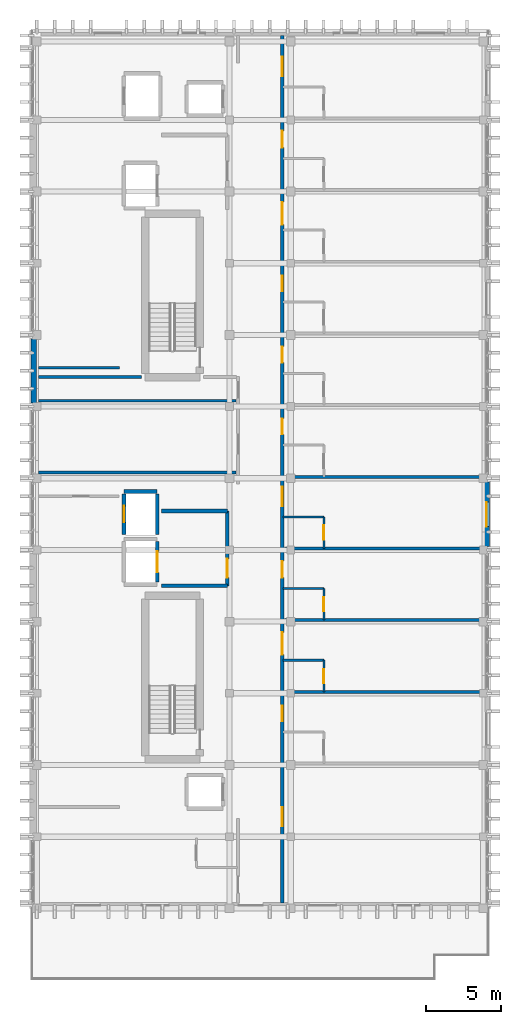
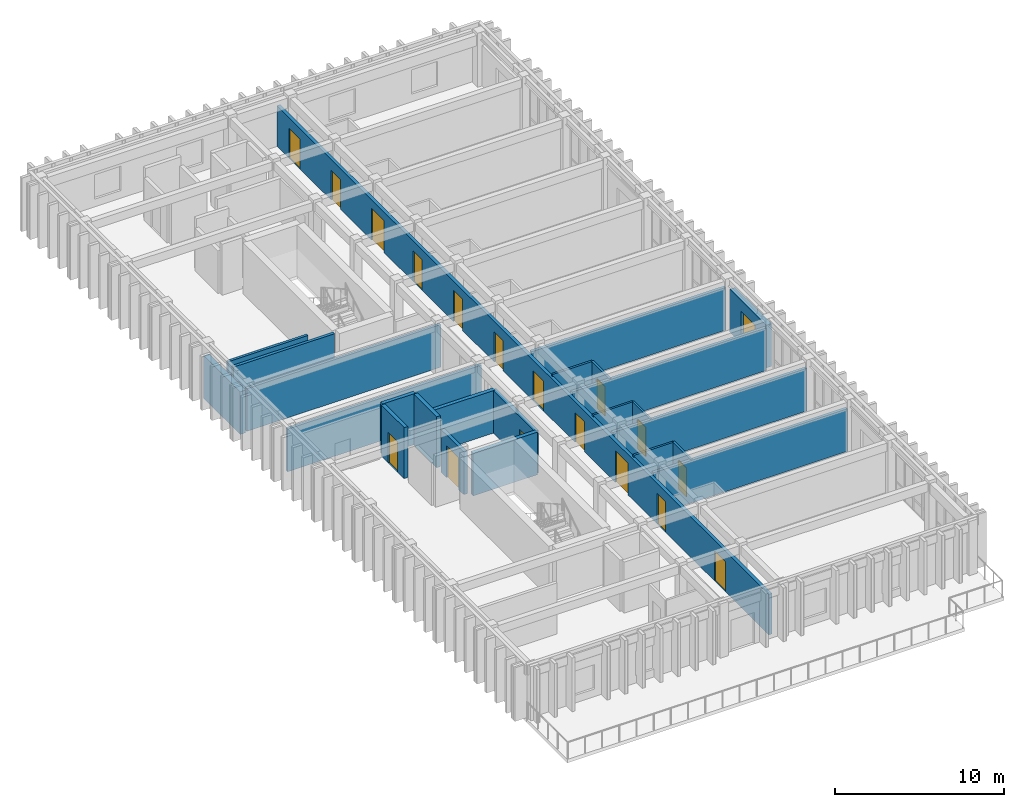
# One storey, part 40 of 49: 24 walls, 17 doors, 1 window, 18 openings.
"""IFC4 building model written with IfcOpenShell, lengths in metres."""

from ifc_helpers import new_model, si_unit, direction, frame, frame_2d, origin, place, context, subcontext, project, spatial, rectangle, extrude, material, layer, layer_set, type_object, element, fill, save


model = new_model("IFC4")

# Units and contexts
model_context = context("Model", 3, precision=1e-05, world=origin(), true_north=direction((0.0, 1.0)))
body_context = subcontext(model_context, "Body", "Model", "MODEL_VIEW")
ifc_project = project(units=[si_unit("LENGTHUNIT", "METRE"), si_unit("AREAUNIT", "SQUARE_METRE"), si_unit("VOLUMEUNIT", "CUBIC_METRE"), si_unit("PLANEANGLEUNIT", "RADIAN"), si_unit("MASSUNIT", "GRAM", prefix="KILO")], contexts=[model_context])

# Site, building, storey
site_placement = place(None, origin())
site = spatial("IfcSite", under=ifc_project, at=site_placement, CompositionType="ELEMENT")
building_placement = place(site_placement, origin())
building = spatial("IfcBuilding", under=site, at=building_placement, Name="Nakhvara Creek Congress Hotel", CompositionType="ELEMENT")
storey_placement = place(building_placement, frame((0.0, 0.0, 46.5)))
storey = spatial("IfcBuildingStorey", under=building, at=storey_placement, Name="L11", CompositionType="ELEMENT", Elevation=46.5)

# Wall, openings, doors
ifc_material_1 = material(Name="Gypsum acoustic board on steel stud", Category="steel")
ifc_layer_1 = layer(ifc_material_1, 0.219970703125)
ifc_layer_set_1 = layer_set([ifc_layer_1], Name="Gypsum acoustic board on steel stud")
wall_type_1 = type_object("IfcWallType", Name="W-CORR-220", PredefinedType="PARTITIONING", material=ifc_layer_set_1)
wall_1_placement = place(storey_placement, frame((165.8798828125, 67.550048828125, 0.0), z_axis=(0.0, 0.0, 1.0), x_axis=(0.0, 1.0, 0.0)))
wall_1 = element("IfcWall", 1, at=wall_1_placement, inside=storey, type_object=wall_type_1, Name="Interior Wall WP11-IW-L11-0753", PredefinedType="PARTITIONING", context=body_context, shape_type="SweptSolid", body=[
    extrude(rectangle(XDim=58.099853515625, YDim=0.219970703125, at=frame_2d((29.0498046875, 0.0))), origin(), (0.0, 0.0, 1.0), 2.922119140625),
])
opening_1_placement = place(wall_1_placement, frame((5.14990234375, 0.0, 0.0)))
opening_1 = element("IfcOpeningElement", 2, at=opening_1_placement, cuts=wall_1, Name="Opening ID07", PredefinedType="OPENING", context=body_context, shape_type="SweptSolid", body=[
    extrude(rectangle(XDim=1.280029296875, YDim=2.159912109375, at=frame_2d((0.64013671875, 1.080078125))), frame((0.0, 0.1220703125, 0.0), z_axis=(0.0, -1.0, 0.0), x_axis=(1.0, 0.0, 0.0)), (0.0, 0.0, 1.0), 0.243896484375),
])
opening_2_placement = place(wall_1_placement, frame((12.18798828125, 0.0, 0.0)))
opening_2 = element("IfcOpeningElement", 3, at=opening_2_placement, cuts=wall_1, Name="Opening GD01", PredefinedType="OPENING", context=body_context, shape_type="SweptSolid", body=[
    extrude(rectangle(XDim=1.02001953125, YDim=2.199951171875, at=frame_2d((0.510009765625, 1.10009765625))), frame((0.0, 0.1220703125, 0.0), z_axis=(0.0, -1.0, 0.0), x_axis=(1.0, 0.0, 0.0)), (0.0, 0.0, 1.0), 0.243896484375),
])
opening_3_placement = place(wall_1_placement, frame((16.637939453125, 0.0, 0.0)))
opening_3 = element("IfcOpeningElement", 4, at=opening_3_placement, cuts=wall_1, Name="Opening GD03", PredefinedType="OPENING", context=body_context, shape_type="SweptSolid", body=[
    extrude(rectangle(XDim=1.5, YDim=2.300048828125, at=frame_2d((0.75, 1.14990234375))), frame((0.0, 0.1220703125, 0.0), z_axis=(0.0, -1.0, 0.0), x_axis=(1.0, 0.0, 0.0)), (0.0, 0.0, 1.0), 0.243896484375),
])
opening_4_placement = place(wall_1_placement, frame((21.7880859375, 0.0, 0.0)))
opening_4 = element("IfcOpeningElement", 5, at=opening_4_placement, cuts=wall_1, Name="Opening BD01", PredefinedType="OPENING", context=body_context, shape_type="SweptSolid", body=[
    extrude(rectangle(XDim=1.1201171875, YDim=2.14990234375, at=frame_2d((0.56005859375, 1.074951171875))), frame((0.0, 0.1220703125, 0.0), z_axis=(0.0, -1.0, 0.0), x_axis=(1.0, 0.0, 0.0)), (0.0, 0.0, 1.0), 0.243896484375),
])
opening_5_placement = place(wall_1_placement, frame((26.587890625, 0.0, 0.0)))
opening_5 = element("IfcOpeningElement", 6, at=opening_5_placement, cuts=wall_1, Name="Opening ID07", PredefinedType="OPENING", context=body_context, shape_type="SweptSolid", body=[
    extrude(rectangle(XDim=1.280029296875, YDim=2.159912109375, at=frame_2d((0.64013671875, 1.080078125))), frame((0.0, 0.1220703125, 0.0), z_axis=(0.0, -1.0, 0.0), x_axis=(1.0, 0.0, 0.0)), (0.0, 0.0, 1.0), 0.243896484375),
])
opening_6_placement = place(wall_1_placement, frame((31.387939453125, 0.0, 0.0)))
opening_6 = element("IfcOpeningElement", 7, at=opening_6_placement, cuts=wall_1, Name="Opening ID04", PredefinedType="OPENING", context=body_context, shape_type="SweptSolid", body=[
    extrude(rectangle(XDim=1.050048828125, YDim=2.179931640625, at=frame_2d((0.52490234375, 1.08984375))), frame((0.0, 0.1220703125, 0.0), z_axis=(0.0, -1.0, 0.0), x_axis=(1.0, 0.0, 0.0)), (0.0, 0.0, 1.0), 0.243896484375),
])
opening_7_placement = place(wall_1_placement, frame((36.18798828125, 0.0, 0.0)))
opening_7 = element("IfcOpeningElement", 8, at=opening_7_placement, cuts=wall_1, Name="Opening GD02", PredefinedType="OPENING", context=body_context, shape_type="SweptSolid", body=[
    extrude(rectangle(XDim=1.080078125, YDim=2.25, at=frame_2d((0.5400390625, 1.125))), frame((0.0, 0.1220703125, 0.0), z_axis=(0.0, -1.0, 0.0), x_axis=(1.0, 0.0, 0.0)), (0.0, 0.0, 1.0), 0.243896484375),
])
opening_8_placement = place(wall_1_placement, frame((40.988037109375, 0.0, 0.0)))
opening_8 = element("IfcOpeningElement", 9, at=opening_8_placement, cuts=wall_1, Name="Opening GD01", PredefinedType="OPENING", context=body_context, shape_type="SweptSolid", body=[
    extrude(rectangle(XDim=1.02001953125, YDim=2.199951171875, at=frame_2d((0.510009765625, 1.10009765625))), frame((0.0, 0.1220703125, 0.0), z_axis=(0.0, -1.0, 0.0), x_axis=(1.0, 0.0, 0.0)), (0.0, 0.0, 1.0), 0.243896484375),
])
opening_9_placement = place(wall_1_placement, frame((45.43798828125, 0.0, 0.0)))
opening_9 = element("IfcOpeningElement", 10, at=opening_9_placement, cuts=wall_1, Name="Opening GD03", PredefinedType="OPENING", context=body_context, shape_type="SweptSolid", body=[
    extrude(rectangle(XDim=1.5, YDim=2.300048828125, at=frame_2d((0.75, 1.14990234375))), frame((0.0, 0.1220703125, 0.0), z_axis=(0.0, -1.0, 0.0), x_axis=(1.0, 0.0, 0.0)), (0.0, 0.0, 1.0), 0.243896484375),
])
opening_10_placement = place(wall_1_placement, frame((50.587890625, 0.0, 0.0)))
opening_10 = element("IfcOpeningElement", 11, at=opening_10_placement, cuts=wall_1, Name="Opening BD01", PredefinedType="OPENING", context=body_context, shape_type="SweptSolid", body=[
    extrude(rectangle(XDim=1.1201171875, YDim=2.14990234375, at=frame_2d((0.56005859375, 1.074951171875))), frame((0.0, 0.1220703125, 0.0), z_axis=(0.0, -1.0, 0.0), x_axis=(1.0, 0.0, 0.0)), (0.0, 0.0, 1.0), 0.243896484375),
])
opening_11_placement = place(wall_1_placement, frame((55.387939453125, 0.0, 0.0)))
opening_11 = element("IfcOpeningElement", 12, at=opening_11_placement, cuts=wall_1, Name="Opening ID07", PredefinedType="OPENING", context=body_context, shape_type="SweptSolid", body=[
    extrude(rectangle(XDim=1.280029296875, YDim=2.159912109375, at=frame_2d((0.64013671875, 1.080078125))), frame((0.0, 0.1220703125, 0.0), z_axis=(0.0, -1.0, 0.0), x_axis=(1.0, 0.0, 0.0)), (0.0, 0.0, 1.0), 0.243896484375),
])
ifc_material_2 = material(Name="Brushed stainless-clad BOH door")
door_type_1 = type_object("IfcDoorType", Name="DT-BOH-128", OperationType="NOTDEFINED", PredefinedType="DOOR", material=ifc_material_2)
door_1_placement = place(opening_1_placement, origin())
door_1 = element("IfcDoor", 13, at=door_1_placement, inside=storey, type_object=door_type_1, Name="Interior Door ID07-0540", OperationType="SINGLE_SWING_LEFT", OverallHeight=2.159912109375, OverallWidth=1.280029296875, PredefinedType="DOOR", context=body_context, shape_type="SweptSolid", body=[
    extrude(rectangle(XDim=1.280029296875, YDim=2.159912109375, at=frame_2d((0.64013671875, 1.080078125))), frame((0.0, 0.02490234375, 0.0), z_axis=(0.0, -1.0, 0.0), x_axis=(1.0, 0.0, 0.0)), (0.0, 0.0, 1.0), 0.050048828125),
])
fill(opening_1, door_1)
door_2_placement = place(opening_5_placement, origin())
door_2 = element("IfcDoor", 14, at=door_2_placement, inside=storey, type_object=door_type_1, Name="Interior Door ID07-0552", OperationType="SINGLE_SWING_LEFT", OverallHeight=2.159912109375, OverallWidth=1.280029296875, PredefinedType="DOOR", context=body_context, shape_type="SweptSolid", body=[
    extrude(rectangle(XDim=1.280029296875, YDim=2.159912109375, at=frame_2d((0.64013671875, 1.080078125))), frame((0.0, 0.02490234375, 0.0), z_axis=(0.0, -1.0, 0.0), x_axis=(1.0, 0.0, 0.0)), (0.0, 0.0, 1.0), 0.050048828125),
])
fill(opening_5, door_2)
door_3_placement = place(opening_11_placement, origin())
door_3 = element("IfcDoor", 15, at=door_3_placement, inside=storey, type_object=door_type_1, Name="Interior Door ID07-0564", OperationType="SINGLE_SWING_LEFT", OverallHeight=2.159912109375, OverallWidth=1.280029296875, PredefinedType="DOOR", context=body_context, shape_type="SweptSolid", body=[
    extrude(rectangle(XDim=1.280029296875, YDim=2.159912109375, at=frame_2d((0.64013671875, 1.080078125))), frame((0.0, 0.02490234375, 0.0), z_axis=(0.0, -1.0, 0.0), x_axis=(1.0, 0.0, 0.0)), (0.0, 0.0, 1.0), 0.050048828125),
])
fill(opening_11, door_3)
ifc_material_3 = material(Name="Walnut hardwood timber fire door", Category="wood")
door_type_2 = type_object("IfcDoorType", Name="DT-GUEST-102", OperationType="NOTDEFINED", PredefinedType="DOOR", material=ifc_material_3)
door_4_placement = place(opening_2_placement, origin())
door_4 = element("IfcDoor", 16, at=door_4_placement, inside=storey, type_object=door_type_2, Name="Interior Door GD01-0546", OperationType="SINGLE_SWING_LEFT", OverallHeight=2.199951171875, OverallWidth=1.02001953125, PredefinedType="DOOR", context=body_context, shape_type="SweptSolid", body=[
    extrude(rectangle(XDim=1.02001953125, YDim=2.199951171875, at=frame_2d((0.510009765625, 1.10009765625))), frame((0.0, 0.02490234375, 0.0), z_axis=(0.0, -1.0, 0.0), x_axis=(1.0, 0.0, 0.0)), (0.0, 0.0, 1.0), 0.050048828125),
])
fill(opening_2, door_4)
door_5_placement = place(opening_8_placement, origin())
door_5 = element("IfcDoor", 17, at=door_5_placement, inside=storey, type_object=door_type_2, Name="Interior Door GD01-0558", OperationType="SINGLE_SWING_LEFT", OverallHeight=2.199951171875, OverallWidth=1.02001953125, PredefinedType="DOOR", context=body_context, shape_type="SweptSolid", body=[
    extrude(rectangle(XDim=1.02001953125, YDim=2.199951171875, at=frame_2d((0.510009765625, 1.10009765625))), frame((0.0, 0.02490234375, 0.0), z_axis=(0.0, -1.0, 0.0), x_axis=(1.0, 0.0, 0.0)), (0.0, 0.0, 1.0), 0.050048828125),
])
fill(opening_8, door_5)
door_type_3 = type_object("IfcDoorType", Name="DT-GUEST-108", OperationType="NOTDEFINED", PredefinedType="DOOR", material=ifc_material_3)
door_6_placement = place(opening_7_placement, origin())
door_6 = element("IfcDoor", 18, at=door_6_placement, inside=storey, type_object=door_type_3, Name="Interior Door GD02-0556", OperationType="SINGLE_SWING_LEFT", OverallHeight=2.25, OverallWidth=1.080078125, PredefinedType="DOOR", context=body_context, shape_type="SweptSolid", body=[
    extrude(rectangle(XDim=1.080078125, YDim=2.25, at=frame_2d((0.5400390625, 1.125))), frame((0.0, 0.02490234375, 0.0), z_axis=(0.0, -1.0, 0.0), x_axis=(1.0, 0.0, 0.0)), (0.0, 0.0, 1.0), 0.050048828125),
])
fill(opening_7, door_6)
ifc_material_4 = material(Name="Hardwood-faced service fire door", Category="wood")
door_type_4 = type_object("IfcDoorType", Name="DT-HK-112", OperationType="NOTDEFINED", PredefinedType="DOOR", material=ifc_material_4)
door_7_placement = place(opening_4_placement, origin())
door_7 = element("IfcDoor", 19, at=door_7_placement, inside=storey, type_object=door_type_4, Name="Interior Door BD01-0550", OperationType="SINGLE_SWING_LEFT", OverallHeight=2.14990234375, OverallWidth=1.1201171875, PredefinedType="DOOR", context=body_context, shape_type="SweptSolid", body=[
    extrude(rectangle(XDim=1.1201171875, YDim=2.14990234375, at=frame_2d((0.56005859375, 1.074951171875))), frame((0.0, 0.02490234375, 0.0), z_axis=(0.0, -1.0, 0.0), x_axis=(1.0, 0.0, 0.0)), (0.0, 0.0, 1.0), 0.050048828125),
])
fill(opening_4, door_7)
door_8_placement = place(opening_10_placement, origin())
door_8 = element("IfcDoor", 20, at=door_8_placement, inside=storey, type_object=door_type_4, Name="Interior Door BD01-0562", OperationType="SINGLE_SWING_LEFT", OverallHeight=2.14990234375, OverallWidth=1.1201171875, PredefinedType="DOOR", context=body_context, shape_type="SweptSolid", body=[
    extrude(rectangle(XDim=1.1201171875, YDim=2.14990234375, at=frame_2d((0.56005859375, 1.074951171875))), frame((0.0, 0.02490234375, 0.0), z_axis=(0.0, -1.0, 0.0), x_axis=(1.0, 0.0, 0.0)), (0.0, 0.0, 1.0), 0.050048828125),
])
fill(opening_10, door_8)
ifc_material_5 = material(Name="Teak timber & frosted glass spa door", Category="wood")
door_type_5 = type_object("IfcDoorType", Name="DT-SPA-105", OperationType="NOTDEFINED", PredefinedType="DOOR", material=ifc_material_5)
door_9_placement = place(opening_6_placement, origin())
door_9 = element("IfcDoor", 21, at=door_9_placement, inside=storey, type_object=door_type_5, Name="Interior Door ID04-0554", OperationType="SINGLE_SWING_LEFT", OverallHeight=2.179931640625, OverallWidth=1.050048828125, PredefinedType="DOOR", context=body_context, shape_type="SweptSolid", body=[
    extrude(rectangle(XDim=1.050048828125, YDim=2.179931640625, at=frame_2d((0.52490234375, 1.08984375))), frame((0.0, 0.02490234375, 0.0), z_axis=(0.0, -1.0, 0.0), x_axis=(1.0, 0.0, 0.0)), (0.0, 0.0, 1.0), 0.050048828125),
])
fill(opening_6, door_9)
ifc_material_6 = material(Name="Walnut hardwood double fire door", Category="wood")
door_type_6 = type_object("IfcDoorType", Name="DT-SUITE-150", OperationType="DOUBLE_DOOR_SINGLE_SWING", PredefinedType="DOOR", material=ifc_material_6)
door_10_placement = place(opening_3_placement, origin())
door_10 = element("IfcDoor", 22, at=door_10_placement, inside=storey, type_object=door_type_6, Name="Interior Door GD03-0548", OperationType="DOUBLE_DOOR_SINGLE_SWING", OverallHeight=2.300048828125, OverallWidth=1.5, PredefinedType="DOOR", context=body_context, shape_type="SweptSolid", body=[
    extrude(rectangle(XDim=1.5, YDim=2.300048828125, at=frame_2d((0.75, 1.14990234375))), frame((0.0, 0.02490234375, 0.0), z_axis=(0.0, -1.0, 0.0), x_axis=(1.0, 0.0, 0.0)), (0.0, 0.0, 1.0), 0.050048828125),
])
fill(opening_3, door_10)
door_11_placement = place(opening_9_placement, origin())
door_11 = element("IfcDoor", 23, at=door_11_placement, inside=storey, type_object=door_type_6, Name="Interior Door GD03-0560", OperationType="DOUBLE_DOOR_SINGLE_SWING", OverallHeight=2.300048828125, OverallWidth=1.5, PredefinedType="DOOR", context=body_context, shape_type="SweptSolid", body=[
    extrude(rectangle(XDim=1.5, YDim=2.300048828125, at=frame_2d((0.75, 1.14990234375))), frame((0.0, 0.02490234375, 0.0), z_axis=(0.0, -1.0, 0.0), x_axis=(1.0, 0.0, 0.0)), (0.0, 0.0, 1.0), 0.050048828125),
])
fill(opening_9, door_11)

# Wall, opening, door
ifc_material_7 = material(Name="Moisture-resistant gypsum board partition")
ifc_layer_2 = layer(ifc_material_7, 0.139892578125)
ifc_layer_set_2 = layer_set([ifc_layer_2], Name="Moisture-resistant gypsum board partition")
wall_type_2 = type_object("IfcWallType", Name="W-ENS-140", PredefinedType="PARTITIONING", material=ifc_layer_set_2)
wall_2_placement = place(storey_placement, frame((168.669921875, 81.699951171875, 0.0), z_axis=(0.0, 0.0, 1.0), x_axis=(0.0, 1.0, 0.0)))
wall_2 = element("IfcWall", 24, at=wall_2_placement, inside=storey, type_object=wall_type_2, Name="Interior Wall WP15-IW-L11-0767", PredefinedType="PARTITIONING", context=body_context, shape_type="SweptSolid", body=[
    extrude(rectangle(XDim=2.115966796875, YDim=0.139892578125, at=frame_2d((1.05810546875, 0.0))), origin(), (0.0, 0.0, 1.0), 3.072021484375),
])
opening_12_placement = place(wall_2_placement, frame((0.5830078125, 0.0, 0.0)))
opening_12 = element("IfcOpeningElement", 25, at=opening_12_placement, cuts=wall_2, Name="Opening ID01", PredefinedType="OPENING", context=body_context, shape_type="SweptSolid", body=[
    extrude(rectangle(XDim=0.919921875, YDim=2.10009765625, at=frame_2d((0.4599609375, 1.050048828125))), frame((0.0, 0.08203125, 0.0), z_axis=(0.0, -1.0, 0.0), x_axis=(1.0, 0.0, 0.0)), (0.0, 0.0, 1.0), 0.163818359375),
])
ifc_material_8 = material(Name="Moisture-resistant walnut timber door", Category="wood")
door_type_7 = type_object("IfcDoorType", Name="DT-ENS-092", OperationType="NOTDEFINED", PredefinedType="DOOR", material=ifc_material_8)
door_12_placement = place(opening_12_placement, frame((0.919921875, 0.0, 0.0), z_axis=(0.0, 0.0, 1.0), x_axis=(-1.0, 0.0, 0.0)))
door_12 = element("IfcDoor", 26, at=door_12_placement, inside=storey, type_object=door_type_7, Name="Interior Door ID01-0549", OperationType="SINGLE_SWING_RIGHT", OverallHeight=2.10009765625, OverallWidth=0.919921875, PredefinedType="DOOR", context=body_context, shape_type="SweptSolid", body=[
    extrude(rectangle(XDim=0.919921875, YDim=2.10009765625, at=frame_2d((0.4599609375, 1.050048828125))), frame((0.0, 0.02490234375, 0.0), z_axis=(0.0, -1.0, 0.0), x_axis=(1.0, 0.0, 0.0)), (0.0, 0.0, 1.0), 0.050048828125),
])
fill(opening_12, door_12)

# Wall
wall_3_placement = place(storey_placement, frame((165.919921875, 83.81591796875, 0.0), z_axis=(0.0, 0.0, 1.0), x_axis=(1.0, 0.0, 0.0)))
element("IfcWall", 27, at=wall_3_placement, inside=storey, type_object=wall_type_2, Name="Interior Wall WP15-IW-L11-0768", PredefinedType="PARTITIONING", context=body_context, shape_type="SweptSolid", body=[
    extrude(rectangle(XDim=2.75, YDim=0.139892578125, at=frame_2d((1.375, 0.0))), origin(), (0.0, 0.0, 1.0), 3.072021484375),
])

# Wall, opening, door
wall_4_placement = place(storey_placement, frame((168.669921875, 86.5, 0.0), z_axis=(0.0, 0.0, 1.0), x_axis=(0.0, 1.0, 0.0)))
wall_4 = element("IfcWall", 28, at=wall_4_placement, inside=storey, type_object=wall_type_2, Name="Interior Wall WP15-IW-L11-0770", PredefinedType="PARTITIONING", context=body_context, shape_type="SweptSolid", body=[
    extrude(rectangle(XDim=2.115966796875, YDim=0.139892578125, at=frame_2d((1.05810546875, 0.0))), origin(), (0.0, 0.0, 1.0), 3.072021484375),
])
opening_13_placement = place(wall_4_placement, frame((0.5830078125, 0.0, 0.0)))
opening_13 = element("IfcOpeningElement", 29, at=opening_13_placement, cuts=wall_4, Name="Opening ID02", PredefinedType="OPENING", context=body_context, shape_type="SweptSolid", body=[
    extrude(rectangle(XDim=0.9599609375, YDim=2.1201171875, at=frame_2d((0.47998046875, 1.06005859375))), frame((0.0, 0.08203125, 0.0), z_axis=(0.0, -1.0, 0.0), x_axis=(1.0, 0.0, 0.0)), (0.0, 0.0, 1.0), 0.163818359375),
])
door_type_8 = type_object("IfcDoorType", Name="DT-ENS-096", OperationType="NOTDEFINED", PredefinedType="DOOR", material=ifc_material_8)
door_13_placement = place(opening_13_placement, frame((0.9599609375, 0.0, 0.0), z_axis=(0.0, 0.0, 1.0), x_axis=(-1.0, 0.0, 0.0)))
door_13 = element("IfcDoor", 30, at=door_13_placement, inside=storey, type_object=door_type_8, Name="Interior Door ID02-0551", OperationType="SINGLE_SWING_RIGHT", OverallHeight=2.1201171875, OverallWidth=0.9599609375, PredefinedType="DOOR", context=body_context, shape_type="SweptSolid", body=[
    extrude(rectangle(XDim=0.9599609375, YDim=2.1201171875, at=frame_2d((0.47998046875, 1.06005859375))), frame((0.0, 0.02490234375, 0.0), z_axis=(0.0, -1.0, 0.0), x_axis=(1.0, 0.0, 0.0)), (0.0, 0.0, 1.0), 0.050048828125),
])
fill(opening_13, door_13)

# Wall
wall_5_placement = place(storey_placement, frame((165.919921875, 88.615966796875, 0.0), z_axis=(0.0, 0.0, 1.0), x_axis=(1.0, 0.0, 0.0)))
element("IfcWall", 31, at=wall_5_placement, inside=storey, type_object=wall_type_2, Name="Interior Wall WP15-IW-L11-0771", PredefinedType="PARTITIONING", context=body_context, shape_type="SweptSolid", body=[
    extrude(rectangle(XDim=2.75, YDim=0.139892578125, at=frame_2d((1.375, 0.0))), origin(), (0.0, 0.0, 1.0), 3.072021484375),
])

# Wall, opening, door
wall_6_placement = place(storey_placement, frame((168.669921875, 91.300048828125, 0.0), z_axis=(0.0, 0.0, 1.0), x_axis=(0.0, 1.0, 0.0)))
wall_6 = element("IfcWall", 32, at=wall_6_placement, inside=storey, type_object=wall_type_2, Name="Interior Wall WP15-IW-L11-0773", PredefinedType="PARTITIONING", context=body_context, shape_type="SweptSolid", body=[
    extrude(rectangle(XDim=2.115966796875, YDim=0.139892578125, at=frame_2d((1.05810546875, 0.0))), origin(), (0.0, 0.0, 1.0), 3.072021484375),
])
opening_14_placement = place(wall_6_placement, frame((0.5830078125, 0.0, 0.0)))
opening_14 = element("IfcOpeningElement", 33, at=opening_14_placement, cuts=wall_6, Name="Opening ID02", PredefinedType="OPENING", context=body_context, shape_type="SweptSolid", body=[
    extrude(rectangle(XDim=0.9599609375, YDim=2.1201171875, at=frame_2d((0.47998046875, 1.06005859375))), frame((0.0, 0.08203125, 0.0), z_axis=(0.0, -1.0, 0.0), x_axis=(1.0, 0.0, 0.0)), (0.0, 0.0, 1.0), 0.163818359375),
])
door_14_placement = place(opening_14_placement, frame((0.9599609375, 0.0, 0.0), z_axis=(0.0, 0.0, 1.0), x_axis=(-1.0, 0.0, 0.0)))
door_14 = element("IfcDoor", 34, at=door_14_placement, inside=storey, type_object=door_type_8, Name="Interior Door ID02-0553", OperationType="SINGLE_SWING_RIGHT", OverallHeight=2.1201171875, OverallWidth=0.9599609375, PredefinedType="DOOR", context=body_context, shape_type="SweptSolid", body=[
    extrude(rectangle(XDim=0.9599609375, YDim=2.1201171875, at=frame_2d((0.47998046875, 1.06005859375))), frame((0.0, 0.02490234375, 0.0), z_axis=(0.0, -1.0, 0.0), x_axis=(1.0, 0.0, 0.0)), (0.0, 0.0, 1.0), 0.050048828125),
])
fill(opening_14, door_14)

# Wall
wall_7_placement = place(storey_placement, frame((165.919921875, 93.416015625, 0.0), z_axis=(0.0, 0.0, 1.0), x_axis=(1.0, 0.0, 0.0)))
element("IfcWall", 35, at=wall_7_placement, inside=storey, type_object=wall_type_2, Name="Interior Wall WP15-IW-L11-0774", PredefinedType="PARTITIONING", context=body_context, shape_type="SweptSolid", body=[
    extrude(rectangle(XDim=2.75, YDim=0.139892578125, at=frame_2d((1.375, 0.0))), origin(), (0.0, 0.0, 1.0), 3.072021484375),
])

# Wall, opening, window
ifc_material_9 = material(Name="Honed pale Omani limestone cladding", Category="masonry")
ifc_layer_3 = layer(ifc_material_9, 0.050048828125)
ifc_material_10 = material(Name="Mineral wool thermal insulation")
ifc_layer_4 = layer(ifc_material_10, 0.110107421875)
ifc_material_11 = material(Name="Precast concrete C40/50", Category="concrete")
ifc_layer_5 = layer(ifc_material_11, 0.219970703125)
ifc_layer_set_3 = layer_set([ifc_layer_3, ifc_layer_4, ifc_layer_5], Name="Precast concrete C40/50")
wall_type_3 = type_object("IfcWallType", Name="W-EXT-380", PredefinedType="SOLIDWALL", material=ifc_layer_set_3)
wall_8_placement = place(storey_placement, frame((179.56005859375, 95.735107421875, 0.0), z_axis=(0.0, 0.0, 1.0), x_axis=(0.0, -1.0, 0.0)))
wall_8 = element("IfcWall", 36, at=wall_8_placement, inside=storey, type_object=wall_type_3, Name="Exterior Wall WE03-EW-L11-0226", PredefinedType="SOLIDWALL", context=body_context, shape_type="SweptSolid", body=[
    extrude(rectangle(XDim=4.300048828125, YDim=0.3798828125, at=frame_2d((2.14990234375, 0.0))), origin(), (0.0, 0.0, 1.0), 3.072021484375),
])
opening_15_placement = place(wall_8_placement, frame((1.324951171875, 0.0, 0.550048828125)))
opening_15 = element("IfcOpeningElement", 37, at=opening_15_placement, cuts=wall_8, Name="Opening WN0250", PredefinedType="OPENING", context=body_context, shape_type="SweptSolid", body=[
    extrude(rectangle(XDim=1.64990234375, YDim=1.75, at=frame_2d((0.824951171875, 0.875))), frame((0.0, 0.201904296875, 0.0), z_axis=(0.0, -1.0, 0.0), x_axis=(1.0, 0.0, 0.0)), (0.0, 0.0, 1.0), 0.40380859375),
])
ifc_material_12 = material(Name="Thermally broken bronze-anodised aluminium and double-silver low-E insulated glass", Category="aluminium")
window_type = type_object("IfcWindowType", Name="WN-LAN-165X225", PartitioningType="SINGLE_PANEL", PredefinedType="WINDOW", material=ifc_material_12)
window_placement = place(opening_15_placement, origin())
window = element("IfcWindow", 38, at=window_placement, inside=storey, type_object=window_type, Name="Facade Window WN0250", OverallHeight=1.75, OverallWidth=1.64990234375, PartitioningType="SINGLE_PANEL", PredefinedType="WINDOW", context=body_context, shape_type="SweptSolid", body=[
    extrude(rectangle(XDim=1.64990234375, YDim=1.75, at=frame_2d((0.824951171875, 0.875))), frame((0.0, 0.030029296875, 0.0), z_axis=(0.0, -1.0, 0.0), x_axis=(1.0, 0.0, 0.0)), (0.0, 0.0, 1.0), 0.06005859375),
])
fill(opening_15, window)

# Wall
wall_9_placement = place(storey_placement, frame((149.239990234375, 101.034912109375, 0.0), z_axis=(0.0, 0.0, 1.0), x_axis=(0.0, 1.0, 0.0)))
element("IfcWall", 39, at=wall_9_placement, inside=storey, type_object=wall_type_3, Name="Exterior Wall WE03-EW-L11-0227", PredefinedType="SOLIDWALL", context=body_context, shape_type="SweptSolid", body=[
    extrude(rectangle(XDim=4.300048828125, YDim=0.3798828125, at=frame_2d((2.14990234375, 0.0))), origin(), (0.0, 0.0, 1.0), 3.072021484375),
])

# Wall, opening, door
ifc_material_13 = material(Name="Concrete C40/50", Category="concrete")
ifc_layer_6 = layer(ifc_material_13, 0.260009765625)
ifc_layer_set_4 = layer_set([ifc_layer_6], Name="Concrete C40/50")
wall_type_4 = type_object("IfcWallType", Name="W-FFL-260", PredefinedType="SOLIDWALL", material=ifc_layer_set_4)
wall_10_placement = place(storey_placement, frame((162.199951171875, 88.800048828125, 0.0), z_axis=(0.0, 0.0, 1.0), x_axis=(0.0, 1.0, 0.0)))
wall_10 = element("IfcWall", 40, at=wall_10_placement, inside=storey, type_object=wall_type_4, Name="Core Shear Wall WI03-CWALL-L11-0250", PredefinedType="SOLIDWALL", context=body_context, shape_type="SweptSolid", body=[
    extrude(rectangle(XDim=5.0, YDim=0.260009765625, at=frame_2d((2.5, 0.0))), origin(), (0.0, 0.0, 1.0), 3.072021484375),
])
opening_16_placement = place(wall_10_placement, frame((0.550048828125, 0.0, 0.0)))
opening_16 = element("IfcOpeningElement", 41, at=opening_16_placement, cuts=wall_10, Name="Opening FD05", PredefinedType="OPENING", context=body_context, shape_type="SweptSolid", body=[
    extrude(rectangle(XDim=1.25, YDim=2.14990234375, at=frame_2d((0.625, 1.074951171875))), frame((0.0, 0.14208984375, 0.0), z_axis=(0.0, -1.0, 0.0), x_axis=(1.0, 0.0, 0.0)), (0.0, 0.0, 1.0), 0.283935546875),
])
ifc_material_14 = material(Name="Hardwood-veneered steel fire door", Category="steel")
door_type_9 = type_object("IfcDoorType", Name="DT-FFL-125", OperationType="NOTDEFINED", PredefinedType="DOOR", material=ifc_material_14)
door_15_placement = place(opening_16_placement, origin())
door_15 = element("IfcDoor", 42, at=door_15_placement, inside=storey, type_object=door_type_9, Name="Firefighting Lobby Door C1-L11", OperationType="DOUBLE_DOOR_SINGLE_SWING", OverallHeight=2.14990234375, OverallWidth=1.25, PredefinedType="DOOR", context=body_context, shape_type="SweptSolid", body=[
    extrude(rectangle(XDim=1.25, YDim=2.14990234375, at=frame_2d((0.625, 1.074951171875))), frame((0.0, 0.02490234375, 0.0), z_axis=(0.0, -1.0, 0.0), x_axis=(1.0, 0.0, 0.0)), (0.0, 0.0, 1.0), 0.050048828125),
])
fill(opening_16, door_15)

# Walls
for number, where, z_axis, x_axis, name in (
    (43, (157.800048828125, 88.800048828125, 0.0), (0.0, 0.0, 1.0), (1.0, 0.0, 0.0), "Core Shear Wall WI03-CWALL-L11-0251"),
    (44, (157.800048828125, 93.800048828125, 0.0), (0.0, 0.0, 1.0), (1.0, 0.0, 0.0), "Core Shear Wall WI03-CWALL-L11-0252"),
):
    element("IfcWall", number, at=place(storey_placement, frame(where, z_axis=z_axis, x_axis=x_axis)), inside=storey, type_object=wall_type_4, Name=name, PredefinedType="SOLIDWALL", context=body_context, shape_type="SweptSolid", body=[
        extrude(rectangle(XDim=4.39990234375, YDim=0.260009765625, at=frame_2d((2.199951171875, 0.0))), origin(), (0.0, 0.0, 1.0), 3.072021484375),
    ])
ifc_layer_7 = layer(ifc_material_1, 0.179931640625)
ifc_layer_set_5 = layer_set([ifc_layer_7], Name="Gypsum acoustic board on steel stud")
wall_type_5 = type_object("IfcWallType", Name="W-MEET-180", PredefinedType="PARTITIONING", material=ifc_layer_set_5)
wall_11_placement = place(storey_placement, frame((149.550048828125, 101.199951171875, 0.0), z_axis=(0.0, 0.0, 1.0), x_axis=(1.0, 0.0, 0.0)))
element("IfcWall", 45, at=wall_11_placement, inside=storey, type_object=wall_type_5, Name="Interior Wall WP13-IW-L11-0755", PredefinedType="PARTITIONING", context=body_context, shape_type="SweptSolid", body=[
    extrude(rectangle(XDim=13.22998046875, YDim=0.179931640625, at=frame_2d((6.614990234375, 0.0))), origin(), (0.0, 0.0, 1.0), 3.072021484375),
])
wall_12_placement = place(storey_placement, frame((149.550048828125, 103.39990234375, 0.0), z_axis=(0.0, 0.0, 1.0), x_axis=(1.0, 0.0, 0.0)))
element("IfcWall", 46, at=wall_12_placement, inside=storey, type_object=wall_type_5, Name="Interior Wall WP13-IW-L11-0760", PredefinedType="PARTITIONING", context=body_context, shape_type="SweptSolid", body=[
    extrude(rectangle(XDim=5.449951171875, YDim=0.179931640625, at=frame_2d((2.72509765625, 0.0))), origin(), (0.0, 0.0, 1.0), 3.679931640625),
])
ifc_layer_8 = layer(ifc_material_1, 0.199951171875)
ifc_layer_set_6 = layer_set([ifc_layer_8], Name="Gypsum acoustic board on steel stud")
wall_type_6 = type_object("IfcWallType", Name="W-PART-200", PredefinedType="PARTITIONING", material=ifc_layer_set_6)
wall_13_placement = place(storey_placement, frame((149.550048828125, 96.39990234375, 0.0), z_axis=(0.0, 0.0, 1.0), x_axis=(1.0, 0.0, 0.0)))
element("IfcWall", 47, at=wall_13_placement, inside=storey, type_object=wall_type_6, Name="Interior Wall WP12-IW-L11-0754", PredefinedType="PARTITIONING", context=body_context, shape_type="SweptSolid", body=[
    extrude(rectangle(XDim=13.22998046875, YDim=0.199951171875, at=frame_2d((6.614990234375, 0.0))), origin(), (0.0, 0.0, 1.0), 3.072021484375),
])
wall_14_placement = place(storey_placement, frame((149.550048828125, 102.780029296875, 0.0), z_axis=(0.0, 0.0, 1.0), x_axis=(1.0, 0.0, 0.0)))
element("IfcWall", 48, at=wall_14_placement, inside=storey, type_object=wall_type_6, Name="Interior Wall WP12-IW-L11-0756", PredefinedType="PARTITIONING", context=body_context, shape_type="SweptSolid", body=[
    extrude(rectangle(XDim=6.89990234375, YDim=0.199951171875, at=frame_2d((3.449951171875, 0.0))), origin(), (0.0, 0.0, 1.0), 3.679931640625),
])
for number, where, z_axis, x_axis, name in (
    (49, (166.02001953125, 81.699951171875, 0.0), (0.0, 0.0, 1.0), (1.0, 0.0, 0.0), "Interior Wall WP12-IW-L11-0766"),
    (50, (166.02001953125, 86.5, 0.0), (0.0, 0.0, 1.0), (1.0, 0.0, 0.0), "Interior Wall WP12-IW-L11-0769"),
    (51, (166.02001953125, 91.300048828125, 0.0), (0.0, 0.0, 1.0), (1.0, 0.0, 0.0), "Interior Wall WP12-IW-L11-0772"),
    (52, (166.02001953125, 96.10009765625, 0.0), (0.0, 0.0, 1.0), (1.0, 0.0, 0.0), "Interior Wall WP12-IW-L11-0775"),
):
    element("IfcWall", number, at=place(storey_placement, frame(where, z_axis=z_axis, x_axis=x_axis)), inside=storey, type_object=wall_type_6, Name=name, PredefinedType="PARTITIONING", context=body_context, shape_type="SweptSolid", body=[
        extrude(rectangle(XDim=13.22998046875, YDim=0.199951171875, at=frame_2d((6.614990234375, 0.0))), origin(), (0.0, 0.0, 1.0), 3.072021484375),
    ])

# Wall, opening, door
ifc_layer_9 = layer(ifc_material_13, 0.25)
ifc_layer_set_7 = layer_set([ifc_layer_9], Name="Concrete C40/50")
wall_type_7 = type_object("IfcWallType", Name="W-SHAFT-250", PredefinedType="SOLIDWALL", material=ifc_layer_set_7)
wall_15_placement = place(storey_placement, frame((157.510009765625, 89.050048828125, 0.0), z_axis=(0.0, 0.0, 1.0), x_axis=(0.0, 1.0, 0.0)))
wall_15 = element("IfcWall", 53, at=wall_15_placement, inside=storey, type_object=wall_type_7, Name="Core Shear Wall WI02-CWALL-L11-0242", PredefinedType="SOLIDWALL", context=body_context, shape_type="SweptSolid", body=[
    extrude(rectangle(XDim=2.699951171875, YDim=0.25, at=frame_2d((1.35009765625, 0.0))), origin(), (0.0, 0.0, 1.0), 3.072021484375),
])
opening_17_placement = place(wall_15_placement, frame((0.64990234375, 0.0, 0.0)))
opening_17 = element("IfcOpeningElement", 54, at=opening_17_placement, cuts=wall_15, Name="Opening LD02", PredefinedType="OPENING", context=body_context, shape_type="SweptSolid", body=[
    extrude(rectangle(XDim=1.39990234375, YDim=2.300048828125, at=frame_2d((0.699951171875, 1.14990234375))), frame((0.0, 0.136962890625, 0.0), z_axis=(0.0, -1.0, 0.0), x_axis=(1.0, 0.0, 0.0)), (0.0, 0.0, 1.0), 0.27392578125),
])
ifc_material_15 = material(Name="Brushed stainless steel heavy goods landing door", Category="steel")
door_type_10 = type_object("IfcDoorType", Name="DT-LIFT-140", OperationType="DOUBLE_DOOR_SLIDING", PredefinedType="DOOR", material=ifc_material_15)
door_16_placement = place(opening_17_placement, origin())
door_16 = element("IfcDoor", 55, at=door_16_placement, inside=storey, type_object=door_type_10, Name="Landing Door FFL1-L11", OperationType="SLIDING_TO_LEFT", OverallHeight=2.300048828125, OverallWidth=1.39990234375, PredefinedType="DOOR", context=body_context, shape_type="SweptSolid", body=[
    extrude(rectangle(XDim=1.39990234375, YDim=2.300048828125, at=frame_2d((0.699951171875, 1.14990234375))), frame((0.0, 0.02490234375, 0.0), z_axis=(0.0, -1.0, 0.0), x_axis=(1.0, 0.0, 0.0)), (0.0, 0.0, 1.0), 0.050048828125),
])
fill(opening_17, door_16)

# Wall
wall_16_placement = place(storey_placement, frame((155.2900390625, 95.110107421875, 0.0), z_axis=(0.0, 0.0, 1.0), x_axis=(1.0, 0.0, 0.0)))
element("IfcWall", 56, at=wall_16_placement, inside=storey, type_object=wall_type_7, Name="Core Shear Wall WI02-CWALL-L11-0243", PredefinedType="SOLIDWALL", context=body_context, shape_type="SweptSolid", body=[
    extrude(rectangle(XDim=2.219970703125, YDim=0.25, at=frame_2d((1.10986328125, 0.0))), origin(), (0.0, 0.0, 1.0), 3.679931640625),
])

# Wall, opening, door
wall_17_placement = place(storey_placement, frame((155.2900390625, 92.25, 0.0), z_axis=(0.0, 0.0, 1.0), x_axis=(0.0, 1.0, 0.0)))
wall_17 = element("IfcWall", 57, at=wall_17_placement, inside=storey, type_object=wall_type_7, Name="Core Shear Wall WI02-CWALL-L11-0244", PredefinedType="SOLIDWALL", context=body_context, shape_type="SweptSolid", body=[
    extrude(rectangle(XDim=2.699951171875, YDim=0.25, at=frame_2d((1.35009765625, 0.0))), origin(), (0.0, 0.0, 1.0), 3.679931640625),
])
opening_18_placement = place(wall_17_placement, frame((0.800048828125, 0.0, 0.0)))
opening_18 = element("IfcOpeningElement", 58, at=opening_18_placement, cuts=wall_17, Name="Opening LD01", PredefinedType="OPENING", context=body_context, shape_type="SweptSolid", body=[
    extrude(rectangle(XDim=1.10009765625, YDim=2.199951171875, at=frame_2d((0.550048828125, 1.10009765625))), frame((0.0, 0.136962890625, 0.0), z_axis=(0.0, -1.0, 0.0), x_axis=(1.0, 0.0, 0.0)), (0.0, 0.0, 1.0), 0.27392578125),
])
ifc_material_16 = material(Name="Brushed stainless steel sliding landing door", Category="steel")
door_type_11 = type_object("IfcDoorType", Name="DT-LIFT-110", OperationType="DOUBLE_DOOR_SLIDING", PredefinedType="DOOR", material=ifc_material_16)
door_17_placement = place(opening_18_placement, origin())
door_17 = element("IfcDoor", 59, at=door_17_placement, inside=storey, type_object=door_type_11, Name="Landing Door SL01-L11", OperationType="SLIDING_TO_LEFT", OverallHeight=2.199951171875, OverallWidth=1.10009765625, PredefinedType="DOOR", context=body_context, shape_type="SweptSolid", body=[
    extrude(rectangle(XDim=1.10009765625, YDim=2.199951171875, at=frame_2d((0.550048828125, 1.10009765625))), frame((0.0, 0.02490234375, 0.0), z_axis=(0.0, -1.0, 0.0), x_axis=(1.0, 0.0, 0.0)), (0.0, 0.0, 1.0), 0.050048828125),
])
fill(opening_18, door_17)

# Wall
wall_18_placement = place(storey_placement, frame((157.510009765625, 92.25, 0.0), z_axis=(0.0, 0.0, 1.0), x_axis=(0.0, 1.0, 0.0)))
element("IfcWall", 60, at=wall_18_placement, inside=storey, type_object=wall_type_7, Name="Core Shear Wall WI02-CWALL-L11-0245", PredefinedType="SOLIDWALL", context=body_context, shape_type="SweptSolid", body=[
    extrude(rectangle(XDim=2.699951171875, YDim=0.25, at=frame_2d((1.35009765625, 0.0))), origin(), (0.0, 0.0, 1.0), 3.679931640625),
])

save(model, "model.ifc")
